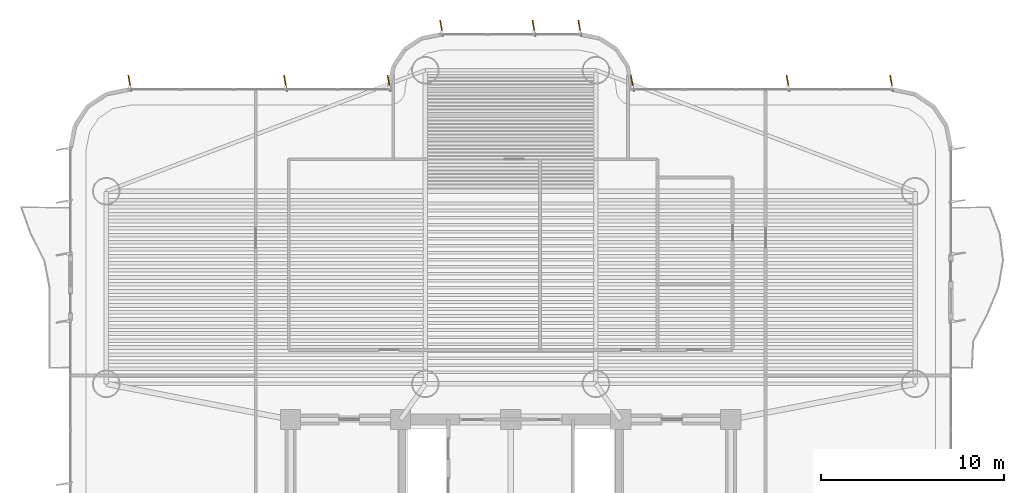
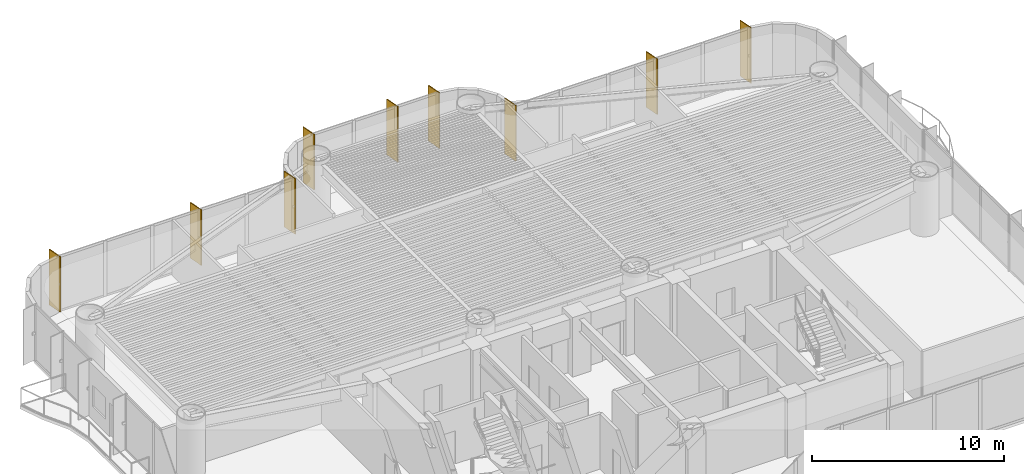
# One storey, part 16 of 16: 9 shading devices.
"""IFC4 building model written with IfcOpenShell, lengths in metres."""

from ifc_helpers import new_model, si_unit, direction, frame, origin, origin_2d, place, context, subcontext, project, spatial, rectangle, extrude, source, transform, mapped, material, material_profile, profile_set, type_object, element, save


model = new_model("IFC4")

# Units and contexts
model_context = context("Model", 3, precision=1e-05, world=origin(), true_north=direction((0.0, 1.0)))
body_context = subcontext(model_context, "Body", "Model", "MODEL_VIEW")
ifc_project = project(units=[si_unit("LENGTHUNIT", "METRE"), si_unit("AREAUNIT", "SQUARE_METRE"), si_unit("VOLUMEUNIT", "CUBIC_METRE"), si_unit("PLANEANGLEUNIT", "RADIAN"), si_unit("MASSUNIT", "GRAM", prefix="KILO")], contexts=[model_context])

# Site, building, storey
site_placement = place(None, origin())
site = spatial("IfcSite", under=ifc_project, at=site_placement, CompositionType="ELEMENT")
building_placement = place(site_placement, origin())
building = spatial("IfcBuilding", under=site, at=building_placement, Name="Brelvock Crest Care Tower", CompositionType="ELEMENT")
storey_placement = place(building_placement, frame((0.0, 0.0, 57.239990234375)))
storey = spatial("IfcBuildingStorey", under=building, at=storey_placement, Name="L14", CompositionType="ELEMENT", Elevation=57.239990234375)

# Shading devices
ifc_material = material(Name="Aluminium 6063-T6", Category="aluminium")
ifc_material_profile = material_profile(ifc_material, rectangle(XDim=0.054931640625, YDim=0.89990234375, at=origin_2d()), Name="FIN55x900")
ifc_profile_set = profile_set([ifc_material_profile], Name="Aluminium 6063-T6")
shading_device_type = type_object("IfcShadingDeviceType", Name="SHD-FIN1", PredefinedType="USERDEFINED", material=ifc_profile_set)
shared_shape = source(origin(), body_context, "Body", "SweptSolid", [
    extrude(rectangle(XDim=0.054931640625, YDim=0.89990234375, at=origin_2d()), origin(), (0.0, 0.0, 1.0), 3.530029296875),
])
for number, where, z_axis, x_axis, name in (
    (1, (15.232421875, 36.340087890625, 0.0), (0.0, 0.0, 1.0), (0.984807753012, 0.173648177667, 0.0), "L14 Vertical Sunshade Fin E18-01"),
    (2, (23.719970703125, 36.340087890625, 0.0), (0.0, 0.0, 1.0), (0.984807753012, 0.173648177667, 0.0), "L14 Vertical Sunshade Fin E18-04"),
    (3, (29.367431640625, 36.340087890625, 0.0), (0.0, 0.0, 1.0), (0.984807753012, 0.173648177667, 0.0), "L14 Vertical Sunshade Fin E18-06"),
    (4, (32.232421875, 39.340087890625, 0.0), (0.0, 0.0, 1.0), (0.984807753012, 0.173648177667, 0.0), "L14 Vertical Sunshade Fin E24-01"),
    (5, (37.2666015625, 39.340087890625, 0.0), (0.0, 0.0, 1.0), (0.984807753012, 0.173648177667, 0.0), "L14 Vertical Sunshade Fin E24-03"),
    (6, (39.767578125, 39.340087890625, 0.0), (0.0, 0.0, 1.0), (0.984807753012, 0.173648177667, 0.0), "L14 Vertical Sunshade Fin E24-04"),
    (7, (42.632568359375, 36.340087890625, 0.0), (0.0, 0.0, 1.0), (0.984807753012, 0.173648177667, 0.0), "L14 Vertical Sunshade Fin E30-01"),
    (8, (51.1201171875, 36.340087890625, 0.0), (0.0, 0.0, 1.0), (0.984807753012, 0.173648177667, 0.0), "L14 Vertical Sunshade Fin E30-04"),
    (9, (56.767578125, 36.340087890625, 0.0), (0.0, 0.0, 1.0), (0.984807753012, 0.173648177667, 0.0), "L14 Vertical Sunshade Fin E30-06"),
):
    element("IfcShadingDevice", number, at=place(storey_placement, frame(where, z_axis=z_axis, x_axis=x_axis)), inside=storey, type_object=shading_device_type, Name=name, ObjectType="FIN", PredefinedType="USERDEFINED", context=body_context, shape_type="MappedRepresentation", body=[
        mapped(shared_shape, transform((0.0, 0.0, 0.0), x_axis=(1.0, 0.0, 0.0), y_axis=(0.0, 1.0, 0.0), z_axis=(0.0, 0.0, 1.0), scale=1.0)),
    ])

save(model, "model.ifc")
